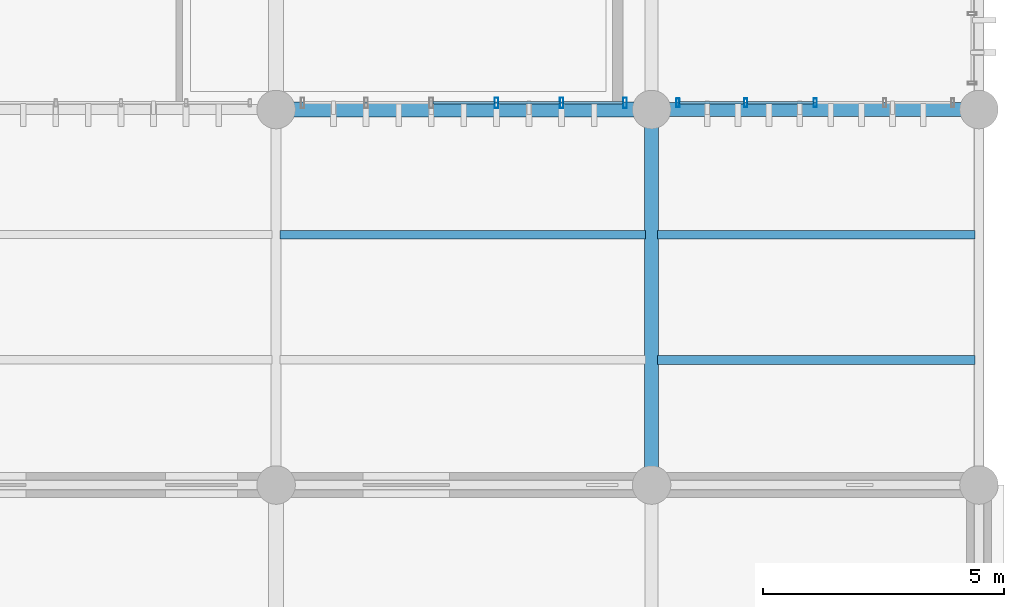
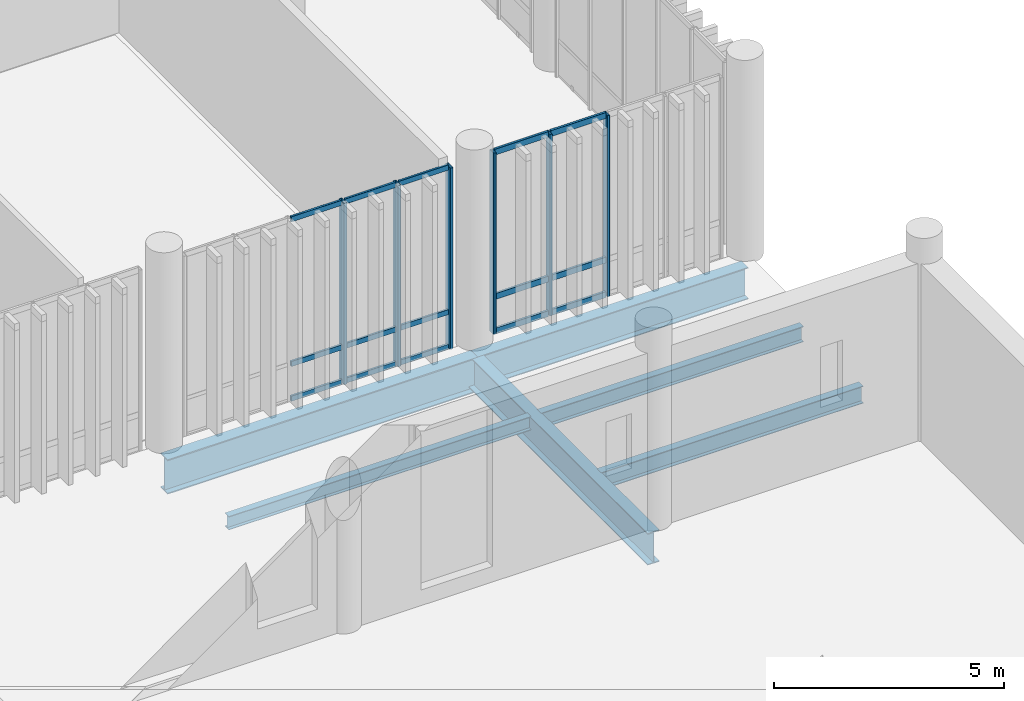
# One storey, part 75 of 128: 21 members, 6 beams, 2 elements without a shape of their own.
"""IFC4 building model written with IfcOpenShell, lengths in metres."""

import ifcopenshell
import ifcopenshell.guid

model = None  # the IFC model being written
_history = None  # IfcOwnerHistory: only IFC2X3 demands one
_inside = {}  # id of a spatial element -> (the spatial element, [elements in it])
_under = {}  # id of a project, library or spatial element -> (it, [spatial elements below it])
_declared = {}  # id of a project -> (the project, [libraries it declares])
_typed = {}  # id of a type object -> (the type object, [elements of that type])
_made_of = {}  # id of a material, layer set ... -> (it, [elements and type objects made of it])


def new_model(schema):
    """Start an empty IFC model of exactly this schema.

    Asked for "IFC4X3", IfcOpenShell would pick the latest addendum, in which some entities
    have other attributes; the version numbers below select the first issue.
    IFC2X3 requires an IfcOwnerHistory on every rooted entity: one is made here for all.
    """
    global model, _history
    if schema == "IFC4X3":
        model = ifcopenshell.file(schema_version=(4, 3, 0, 0))
    else:
        model = ifcopenshell.file(schema=schema)
    _inside.clear()
    _under.clear()
    _declared.clear()
    _typed.clear()
    _made_of.clear()
    _history = None
    if model.schema == "IFC2X3":
        org = make("IfcOrganization", Name="unknown")
        user = make(
            "IfcPersonAndOrganization",
            ThePerson=make("IfcPerson", FamilyName="unknown"),
            TheOrganization=org,
        )
        app = make(
            "IfcApplication",
            ApplicationDeveloper=org,
            Version="unknown",
            ApplicationFullName="unknown",
            ApplicationIdentifier="unknown",
        )
        _history = make(
            "IfcOwnerHistory",
            OwningUser=user,
            OwningApplication=app,
            ChangeAction="ADDED",
            CreationDate=0,
        )
    return model


def make(cls, **values):
    """One entity of the class cls with the attributes given. An attribute that is None is left unset."""
    return model.create_entity(
        cls, **{name: value for name, value in values.items() if value is not None}
    )


def rooted(cls, **values):
    """An entity with a GlobalId (a new one), such as an element, a storey or a relation."""
    return make(cls, GlobalId=ifcopenshell.guid.new(), OwnerHistory=_history, **values)


def si_unit(unit_type, name, prefix=None):
    """IfcSIUnit, for example si_unit("LENGTHUNIT", "METRE", prefix="MILLI")."""
    return make("IfcSIUnit", UnitType=unit_type, Prefix=prefix, Name=name)


def assignment(units):
    """IfcUnitAssignment: the units of a project."""
    return None if units is None else make("IfcUnitAssignment", Units=units)


def point(xyz):
    """IfcCartesianPoint."""
    return None if xyz is None else make("IfcCartesianPoint", Coordinates=xyz)


def direction(xyz):
    """IfcDirection."""
    return None if xyz is None else make("IfcDirection", DirectionRatios=xyz)


def frame(location, z_axis=None, x_axis=None):
    """IfcAxis2Placement3D, a coordinate frame: its origin and axes. An axis left out is left unset."""
    return make(
        "IfcAxis2Placement3D",
        Location=point(location),
        Axis=direction(z_axis),
        RefDirection=direction(x_axis),
    )


def frame_2d(location, x_axis=None):
    """IfcAxis2Placement2D, a coordinate frame in the plane: its origin and x axis."""
    return make(
        "IfcAxis2Placement2D", Location=point(location), RefDirection=direction(x_axis)
    )


def origin_with_axes():
    """The frame at (0, 0, 0) with the z axis (0, 0, 1) and the x axis (1, 0, 0) written out."""
    return frame((0.0, 0.0, 0.0), z_axis=(0.0, 0.0, 1.0), x_axis=(1.0, 0.0, 0.0))


def origin_2d_with_axis():
    """The frame at (0, 0) in the plane with the x axis (1, 0) written out."""
    return frame_2d((0.0, 0.0), x_axis=(1.0, 0.0))


def place(relative_to, where):
    """IfcLocalPlacement: puts the frame where relative to a parent placement (None: the world)."""
    return make(
        "IfcLocalPlacement", PlacementRelTo=relative_to, RelativePlacement=where
    )


def context(
    kind, dimensions, precision=None, world=None, true_north=None, identifier=None
):
    """IfcGeometricRepresentationContext, for example the 3D "Model" context."""
    return make(
        "IfcGeometricRepresentationContext",
        ContextIdentifier=identifier,
        ContextType=kind,
        CoordinateSpaceDimension=dimensions,
        Precision=precision,
        WorldCoordinateSystem=world,
        TrueNorth=true_north,
    )


def subcontext(parent, identifier, kind, view, scale=None):
    """IfcGeometricRepresentationSubContext, for example "Body" below "Model"."""
    return make(
        "IfcGeometricRepresentationSubContext",
        ContextIdentifier=identifier,
        ContextType=kind,
        ParentContext=parent,
        TargetScale=scale,
        TargetView=view,
    )


def project(units=None, contexts=None):
    """IfcProject with its units and contexts."""
    return rooted(
        "IfcProject",
        Name="project",
        RepresentationContexts=contexts,
        UnitsInContext=assignment(units),
    )


def spatial(cls, under=None, at=None, **own):
    """A site, building, storey or space (cls), placed at a placement, below another one or the project."""
    s = rooted(cls, ObjectPlacement=at, **own)
    if under is not None:
        _under.setdefault(under.id(), (under, []))[1].append(s)
    return s


def profile(cls, at=None, kind="AREA", **sizes):
    """A parametric profile (cls). Its sizes go by their IFC names, for example OverallWidth=200.0."""
    return make(cls, ProfileType=kind, Position=at, **sizes)


def hollow_rectangle(**sizes):
    """IfcRectangleHollowProfileDef."""
    return profile("IfcRectangleHollowProfileDef", **sizes)


def i_section(**sizes):
    """IfcIShapeProfileDef."""
    return profile("IfcIShapeProfileDef", **sizes)


def extrude(swept, where, along, depth):
    """IfcExtrudedAreaSolid: the profile swept, set in the frame where, extruded along a direction by depth."""
    return make(
        "IfcExtrudedAreaSolid",
        SweptArea=swept,
        Position=where,
        ExtrudedDirection=direction(along),
        Depth=depth,
    )


def shape(context_of_items, identifier, shape_type, items):
    """IfcShapeRepresentation: the items that make up one representation, for example the "Body"."""
    return make(
        "IfcShapeRepresentation",
        ContextOfItems=context_of_items,
        RepresentationIdentifier=identifier,
        RepresentationType=shape_type,
        Items=items,
    )


def material(Name=None, Category=None):
    """IfcMaterial."""
    return make("IfcMaterial", Name=Name, Category=Category)


def material_profile(
    of_material, cross_section, Name=None, Category=None, Priority=None
):
    """IfcMaterialProfile: a cross section and its material."""
    return make(
        "IfcMaterialProfile",
        Name=Name,
        Material=of_material,
        Profile=cross_section,
        Priority=Priority,
        Category=Category,
    )


def profile_set(profiles, Name=None, composite=None):
    """IfcMaterialProfileSet."""
    return make(
        "IfcMaterialProfileSet",
        Name=Name,
        MaterialProfiles=profiles,
        CompositeProfile=composite,
    )


def made_of(thing, what):
    """Note that an element or type object is made of a material, layer set ...; save() writes the relation."""
    if what is not None:
        _made_of.setdefault(what.id(), (what, []))[1].append(thing)
    return thing


def type_object(cls, material=None, **own):
    """A type object (cls), such as IfcWallType, which elements share."""
    return made_of(rooted(cls, **own), material)


def element(
    cls,
    number,
    at=None,
    inside=None,
    cuts=None,
    type_object=None,
    material=None,
    context=None,
    identifier="Body",
    shape_type=None,
    held_by="IfcProductDefinitionShape",
    body=None,
    shapes=None,
    **own,
):
    """One element of the class cls, such as IfcWall. Its Tag is "e" and its number.

    at: its placement. inside: the storey or other place that contains it. cuts: it is an
    opening in that element (IfcRelVoidsElement). A single representation is given by context,
    identifier, shape_type and body (its items); several are given by shapes. held_by: the class
    of the entity that holds the representations. save() writes the other relations.
    """
    e = rooted(cls, Tag="e%d" % number, ObjectPlacement=at, **own)
    if body is not None:
        shapes = [shape(context, identifier, shape_type, body)]
    if shapes is not None:
        e.Representation = make(held_by, Representations=shapes)
    if inside is not None:
        _inside.setdefault(inside.id(), (inside, []))[1].append(e)
    if cuts is not None:
        rooted(
            "IfcRelVoidsElement", RelatingBuildingElement=cuts, RelatedOpeningElement=e
        )
    if type_object is not None:
        _typed.setdefault(type_object.id(), (type_object, []))[1].append(e)
    return made_of(e, material)


def aggregate(whole, parts):
    """IfcRelAggregates: a whole, such as a stair, and the parts it consists of."""
    return rooted("IfcRelAggregates", RelatingObject=whole, RelatedObjects=parts)


def save(model, path):
    """Write the relations noted so far, then the file.

    IfcRelAggregates (storeys below a building ...), IfcRelContainedInSpatialStructure (elements
    in a storey), IfcRelDefinesByType, IfcRelAssociatesMaterial and IfcRelDeclares: one each for
    every whole, place, type object, material and project.
    """
    for whole, parts in _under.values():
        aggregate(whole, parts)
    for where, things in _inside.values():
        rooted(
            "IfcRelContainedInSpatialStructure",
            RelatedElements=things,
            RelatingStructure=where,
        )
    for kind, things in _typed.values():
        rooted("IfcRelDefinesByType", RelatedObjects=things, RelatingType=kind)
    for what, things in _made_of.values():
        rooted("IfcRelAssociatesMaterial", RelatedObjects=things, RelatingMaterial=what)
    for by, libraries in _declared.values():
        rooted("IfcRelDeclares", RelatingContext=by, RelatedDefinitions=libraries)
    model.write(path)


model = new_model("IFC4")

# Units and contexts
model_context = context("Model", 3, precision=1e-05, world=origin_with_axes(), true_north=direction((0.0, 1.0)))
body_context = subcontext(model_context, "Body", "Model", "MODEL_VIEW")
ifc_project = project(units=[si_unit("LENGTHUNIT", "METRE"), si_unit("AREAUNIT", "SQUARE_METRE"), si_unit("VOLUMEUNIT", "CUBIC_METRE"), si_unit("PLANEANGLEUNIT", "RADIAN"), si_unit("MASSUNIT", "GRAM", prefix="KILO"), si_unit("THERMODYNAMICTEMPERATUREUNIT", "KELVIN")], contexts=[model_context])

# Site, building, storey
site_placement = place(None, origin_with_axes())
site = spatial("IfcSite", under=ifc_project, at=site_placement, CompositionType="ELEMENT")
building_placement = place(site_placement, origin_with_axes())
building = spatial("IfcBuilding", under=site, at=building_placement, Name="Montbau Bow Law Courts", CompositionType="ELEMENT")
storey_placement = place(building_placement, frame((0.0, 0.0, 5.4), z_axis=(0.0, 0.0, 1.0), x_axis=(1.0, 0.0, 0.0)))
storey = spatial("IfcBuildingStorey", under=building, at=storey_placement, Name="L01", CompositionType="ELEMENT", Elevation=5.4)

# Beams
ifc_material_1 = material(Name="Steel CSA G40.21 Grade 350W (350 MPa)", Category="steel")
ifc_material_profile_1 = material_profile(ifc_material_1, i_section(OverallWidth=0.306, OverallDepth=0.919, WebThickness=0.0173, FlangeThickness=0.0279, at=origin_2d_with_axis()), Name="W920X253", Category="Main", Priority=0)
ifc_profile_set_1 = profile_set([ifc_material_profile_1], Name="Steel CSA G40.21 Grade 350W (350 MPa)")
beam_type_1 = type_object("IfcBeamType", Name="B-FLR-01", PredefinedType="BEAM", material=ifc_profile_set_1)
beam_1_placement = place(None, frame((154.8, 69.6, 4.651), z_axis=(1.0, 0.0, 0.0), x_axis=(0.0, 1.0, 0.0)))
element("IfcBeam", 1, at=beam_1_placement, inside=storey, type_object=beam_type_1, Name="BM-L01-S1104:bm2_1107", PredefinedType="BEAM", context=body_context, shape_type="SweptSolid", body=[
    extrude(i_section(OverallWidth=0.306, OverallDepth=0.919, WebThickness=0.0173, FlangeThickness=0.0279, at=origin_2d_with_axis()), origin_with_axes(), (0.0, 0.0, 1.0), 7.8),
])
ifc_material_profile_2 = material_profile(ifc_material_1, i_section(OverallWidth=0.293, OverallDepth=0.846, WebThickness=0.0154, FlangeThickness=0.0244, at=origin_2d_with_axis()), Name="W840X210", Category="Main", Priority=0)
ifc_profile_set_2 = profile_set([ifc_material_profile_2], Name="Steel CSA G40.21 Grade 350W (350 MPa)")
beam_type_2 = type_object("IfcBeamType", Name="B-FLR-02", PredefinedType="BEAM", material=ifc_profile_set_2)
beam_2_placement = place(None, frame((162.6, 69.6, 4.687), z_axis=(1.0, 0.0, 0.0), x_axis=(0.0, 1.0, 0.0)))
element("IfcBeam", 2, at=beam_2_placement, inside=storey, type_object=beam_type_2, Name="BM-L01-S1105:bm2_1108", PredefinedType="BEAM", context=body_context, shape_type="SweptSolid", body=[
    extrude(i_section(OverallWidth=0.293, OverallDepth=0.846, WebThickness=0.0154, FlangeThickness=0.0244, at=origin_2d_with_axis()), origin_with_axes(), (0.0, 0.0, 1.0), 6.8),
])
beam_3_placement = place(None, frame((162.6, 61.8, 4.687), z_axis=(0.0, 1.0, 0.0), x_axis=(-1.0, 0.0, 0.0)))
element("IfcBeam", 3, at=beam_3_placement, inside=storey, type_object=beam_type_2, Name="BM-L01-S1151:bm2_1154", PredefinedType="BEAM", context=body_context, shape_type="SweptSolid", body=[
    extrude(i_section(OverallWidth=0.293, OverallDepth=0.846, WebThickness=0.0154, FlangeThickness=0.0244, at=origin_2d_with_axis()), origin_with_axes(), (0.0, 0.0, 1.0), 7.8),
])
ifc_material_profile_3 = material_profile(ifc_material_1, i_section(OverallWidth=0.191, OverallDepth=0.46, WebThickness=0.0099, FlangeThickness=0.016, at=origin_2d_with_axis()), Name="W460X82", Category="Main", Priority=0)
ifc_profile_set_3 = profile_set([ifc_material_profile_3], Name="Steel CSA G40.21 Grade 350W (350 MPa)")
beam_type_3 = type_object("IfcBeamType", Name="B-JST-01", PredefinedType="JOIST", material=ifc_profile_set_3)
beam_4_placement = place(None, frame((162.722, 64.4, 4.88), z_axis=(1.0, 0.0, 0.0), x_axis=(0.0, 1.0, 0.0)))
element("IfcBeam", 4, at=beam_4_placement, inside=storey, type_object=beam_type_3, Name="JST-L01-S0596:jst2_0596", PredefinedType="JOIST", context=body_context, shape_type="SweptSolid", body=[
    extrude(i_section(OverallWidth=0.191, OverallDepth=0.46, WebThickness=0.0099, FlangeThickness=0.016, at=origin_2d_with_axis()), origin_with_axes(), (0.0, 0.0, 1.0), 6.598),
])
ifc_material_profile_4 = material_profile(ifc_material_1, i_section(OverallWidth=0.179, OverallDepth=0.41, WebThickness=0.0088, FlangeThickness=0.0144, at=origin_2d_with_axis()), Name="W410X67", Category="Main", Priority=0)
ifc_profile_set_4 = profile_set([ifc_material_profile_4], Name="Steel CSA G40.21 Grade 350W (350 MPa)")
beam_type_4 = type_object("IfcBeamType", Name="B-JST-02", PredefinedType="JOIST", material=ifc_profile_set_4)
beam_5_placement = place(None, frame((162.722, 67.0, 4.905), z_axis=(1.0, 0.0, 0.0), x_axis=(0.0, 1.0, 0.0)))
element("IfcBeam", 5, at=beam_5_placement, inside=storey, type_object=beam_type_4, Name="JST-L01-S0597:jst2_0597", PredefinedType="JOIST", context=body_context, shape_type="SweptSolid", body=[
    extrude(i_section(OverallWidth=0.179, OverallDepth=0.41, WebThickness=0.0088, FlangeThickness=0.0144, at=origin_2d_with_axis()), origin_with_axes(), (0.0, 0.0, 1.0), 6.598),
])
ifc_material_profile_5 = material_profile(ifc_material_1, i_section(OverallWidth=0.172, OverallDepth=0.358, WebThickness=0.0079, FlangeThickness=0.0131, at=origin_2d_with_axis()), Name="W360X57", Category="Main", Priority=0)
ifc_profile_set_5 = profile_set([ifc_material_profile_5], Name="Steel CSA G40.21 Grade 350W (350 MPa)")
beam_type_5 = type_object("IfcBeamType", Name="B-JST-03", PredefinedType="JOIST", material=ifc_profile_set_5)
beam_6_placement = place(None, frame((154.881, 67.0, 4.931), z_axis=(1.0, 0.0, 0.0), x_axis=(0.0, 1.0, 0.0)))
element("IfcBeam", 6, at=beam_6_placement, inside=storey, type_object=beam_type_5, Name="JST-L01-S0586:jst2_0586", PredefinedType="JOIST", context=body_context, shape_type="SweptSolid", body=[
    extrude(i_section(OverallWidth=0.172, OverallDepth=0.358, WebThickness=0.0079, FlangeThickness=0.0131, at=origin_2d_with_axis()), origin_with_axes(), (0.0, 0.0, 1.0), 7.596),
])

# Curtain wall, members
ifc_material_2 = material(Name="Thermally Broken Extruded Aluminium AA 6063-T6", Category="aluminium")
curtain_wall_type = type_object("IfcCurtainWallType", Name="CW-SLT-01", PredefinedType="NOTDEFINED", material=ifc_material_2)
curtain_wall_1_placement = place(None, frame((155.315, 69.74, 5.4), z_axis=(0.0, 0.0, 1.0), x_axis=(1.0, 0.0, 0.0)))
curtain_wall_1 = element("IfcCurtainWall", 7, at=curtain_wall_1_placement, inside=storey, type_object=curtain_wall_type, Name="CW-L01-279:cw_0279", PredefinedType="NOTDEFINED")
ifc_material_profile_6 = material_profile(ifc_material_2, hollow_rectangle(XDim=0.075, YDim=0.22, WallThickness=0.005, InnerFilletRadius=0.01, OuterFilletRadius=0.005, at=origin_2d_with_axis()), Name="CWM-220X75", Category="Main", Priority=0)
ifc_profile_set_6 = profile_set([ifc_material_profile_6], Name="Thermally Broken Extruded Aluminium AA 6063-T6")
member_type_1 = type_object("IfcMemberType", Name="M-MUL-01", PredefinedType="MULLION", material=ifc_profile_set_6)
member_1_placement = place(None, frame((159.377, 69.74, 5.4), z_axis=(0.0, 0.0, 1.0), x_axis=(1.0, 0.0, 0.0)))
member_1 = element("IfcMember", 8, at=member_1_placement, type_object=member_type_1, Name="CW-L01-279-M04:cw_0279_M04", PredefinedType="MULLION", context=body_context, shape_type="SweptSolid", body=[
    extrude(hollow_rectangle(XDim=0.075, YDim=0.22, WallThickness=0.005, InnerFilletRadius=0.01, OuterFilletRadius=0.005, at=origin_2d_with_axis()), origin_with_axes(), (0.0, 0.0, 1.0), 4.82),
])
member_2_placement = place(None, frame((160.731, 69.74, 5.4), z_axis=(0.0, 0.0, 1.0), x_axis=(1.0, 0.0, 0.0)))
member_2 = element("IfcMember", 9, at=member_2_placement, type_object=member_type_1, Name="CW-L01-279-M05:cw_0279_M05", PredefinedType="MULLION", context=body_context, shape_type="SweptSolid", body=[
    extrude(hollow_rectangle(XDim=0.075, YDim=0.22, WallThickness=0.005, InnerFilletRadius=0.01, OuterFilletRadius=0.005, at=origin_2d_with_axis()), origin_with_axes(), (0.0, 0.0, 1.0), 4.82),
])
member_3_placement = place(None, frame((162.048, 69.74, 5.4), z_axis=(0.0, 0.0, 1.0), x_axis=(1.0, 0.0, 0.0)))
member_3 = element("IfcMember", 10, at=member_3_placement, type_object=member_type_1, Name="CW-L01-279-M06:cw_0279_M06", PredefinedType="MULLION", context=body_context, shape_type="SweptSolid", body=[
    extrude(hollow_rectangle(XDim=0.075, YDim=0.22, WallThickness=0.005, InnerFilletRadius=0.01, OuterFilletRadius=0.005, at=origin_2d_with_axis()), origin_with_axes(), (0.0, 0.0, 1.0), 4.82),
])

curtain_wall_2_placement = place(None, frame((163.115, 69.74, 5.4), z_axis=(0.0, 0.0, 1.0), x_axis=(1.0, 0.0, 0.0)))
curtain_wall_2 = element("IfcCurtainWall", 11, at=curtain_wall_2_placement, inside=storey, type_object=curtain_wall_type, Name="CW-L01-280:cw_0280", PredefinedType="NOTDEFINED")
ifc_material_profile_7 = material_profile(ifc_material_2, hollow_rectangle(XDim=0.065, YDim=0.18, WallThickness=0.005, InnerFilletRadius=0.01, OuterFilletRadius=0.005, at=origin_2d_with_axis()), Name="CWM-180X65", Category="Main", Priority=0)
ifc_profile_set_7 = profile_set([ifc_material_profile_7], Name="Thermally Broken Extruded Aluminium AA 6063-T6")
member_type_2 = type_object("IfcMemberType", Name="M-MUL-02", PredefinedType="MULLION", material=ifc_profile_set_7)
member_4_placement = place(None, frame((163.148, 69.74, 5.4), z_axis=(0.0, 0.0, 1.0), x_axis=(1.0, 0.0, 0.0)))
member_4 = element("IfcMember", 12, at=member_4_placement, type_object=member_type_2, Name="CW-L01-280-M01:cw_0280_M01", PredefinedType="MULLION", context=body_context, shape_type="SweptSolid", body=[
    extrude(hollow_rectangle(XDim=0.065, YDim=0.18, WallThickness=0.005, InnerFilletRadius=0.01, OuterFilletRadius=0.005, at=origin_2d_with_axis()), origin_with_axes(), (0.0, 0.0, 1.0), 4.82),
])
member_5_placement = place(None, frame((164.557, 69.74, 5.4), z_axis=(0.0, 0.0, 1.0), x_axis=(1.0, 0.0, 0.0)))
member_5 = element("IfcMember", 13, at=member_5_placement, type_object=member_type_2, Name="CW-L01-280-M02:cw_0280_M02", PredefinedType="MULLION", context=body_context, shape_type="SweptSolid", body=[
    extrude(hollow_rectangle(XDim=0.065, YDim=0.18, WallThickness=0.005, InnerFilletRadius=0.01, OuterFilletRadius=0.005, at=origin_2d_with_axis()), origin_with_axes(), (0.0, 0.0, 1.0), 4.82),
])
member_6_placement = place(None, frame((166.0, 69.74, 5.4), z_axis=(0.0, 0.0, 1.0), x_axis=(1.0, 0.0, 0.0)))
member_6 = element("IfcMember", 14, at=member_6_placement, type_object=member_type_2, Name="CW-L01-280-M03:cw_0280_M03", PredefinedType="MULLION", context=body_context, shape_type="SweptSolid", body=[
    extrude(hollow_rectangle(XDim=0.065, YDim=0.18, WallThickness=0.005, InnerFilletRadius=0.01, OuterFilletRadius=0.005, at=origin_2d_with_axis()), origin_with_axes(), (0.0, 0.0, 1.0), 4.82),
])
ifc_material_profile_8 = material_profile(ifc_material_2, hollow_rectangle(XDim=0.06, YDim=0.16, WallThickness=0.004, InnerFilletRadius=0.008, OuterFilletRadius=0.004, at=origin_2d_with_axis()), Name="CWT-160X60", Category="Main", Priority=0)
ifc_profile_set_8 = profile_set([ifc_material_profile_8], Name="Thermally Broken Extruded Aluminium AA 6063-T6")
member_type_3 = type_object("IfcMemberType", Name="M-TRN-01", PredefinedType="USERDEFINED", material=ifc_profile_set_8)
member_7_placement = place(None, frame((163.183, 69.74, 5.43), z_axis=(1.0, 0.0, 0.0), x_axis=(0.0, 1.0, 0.0)))
member_7 = element("IfcMember", 15, at=member_7_placement, type_object=member_type_3, Name="CW-L01-280-T01-1:cw_0280_T01_1", ObjectType="TRANSOM", PredefinedType="USERDEFINED", context=body_context, shape_type="SweptSolid", body=[
    extrude(hollow_rectangle(XDim=0.06, YDim=0.16, WallThickness=0.004, InnerFilletRadius=0.008, OuterFilletRadius=0.004, at=origin_2d_with_axis()), origin_with_axes(), (0.0, 0.0, 1.0), 1.339),
])
member_8_placement = place(None, frame((163.183, 69.74, 6.35), z_axis=(1.0, 0.0, 0.0), x_axis=(0.0, 1.0, 0.0)))
member_8 = element("IfcMember", 16, at=member_8_placement, type_object=member_type_3, Name="CW-L01-280-T01-2:cw_0280_T01_2", ObjectType="TRANSOM", PredefinedType="USERDEFINED", context=body_context, shape_type="SweptSolid", body=[
    extrude(hollow_rectangle(XDim=0.06, YDim=0.16, WallThickness=0.004, InnerFilletRadius=0.008, OuterFilletRadius=0.004, at=origin_2d_with_axis()), origin_with_axes(), (0.0, 0.0, 1.0), 1.339),
])
member_9_placement = place(None, frame((163.183, 69.74, 10.19), z_axis=(1.0, 0.0, 0.0), x_axis=(0.0, 1.0, 0.0)))
member_9 = element("IfcMember", 17, at=member_9_placement, type_object=member_type_3, Name="CW-L01-280-T01-3:cw_0280_T01_3", ObjectType="TRANSOM", PredefinedType="USERDEFINED", context=body_context, shape_type="SweptSolid", body=[
    extrude(hollow_rectangle(XDim=0.06, YDim=0.16, WallThickness=0.004, InnerFilletRadius=0.008, OuterFilletRadius=0.004, at=origin_2d_with_axis()), origin_with_axes(), (0.0, 0.0, 1.0), 1.339),
])
member_10_placement = place(None, frame((164.591, 69.74, 5.43), z_axis=(1.0, 0.0, 0.0), x_axis=(0.0, 1.0, 0.0)))
member_10 = element("IfcMember", 18, at=member_10_placement, type_object=member_type_3, Name="CW-L01-280-T02-1:cw_0280_T02_1", ObjectType="TRANSOM", PredefinedType="USERDEFINED", context=body_context, shape_type="SweptSolid", body=[
    extrude(hollow_rectangle(XDim=0.06, YDim=0.16, WallThickness=0.004, InnerFilletRadius=0.008, OuterFilletRadius=0.004, at=origin_2d_with_axis()), origin_with_axes(), (0.0, 0.0, 1.0), 1.374),
])
member_11_placement = place(None, frame((164.591, 69.74, 6.35), z_axis=(1.0, 0.0, 0.0), x_axis=(0.0, 1.0, 0.0)))
member_11 = element("IfcMember", 19, at=member_11_placement, type_object=member_type_3, Name="CW-L01-280-T02-2:cw_0280_T02_2", ObjectType="TRANSOM", PredefinedType="USERDEFINED", context=body_context, shape_type="SweptSolid", body=[
    extrude(hollow_rectangle(XDim=0.06, YDim=0.16, WallThickness=0.004, InnerFilletRadius=0.008, OuterFilletRadius=0.004, at=origin_2d_with_axis()), origin_with_axes(), (0.0, 0.0, 1.0), 1.374),
])
member_12_placement = place(None, frame((164.591, 69.74, 10.19), z_axis=(1.0, 0.0, 0.0), x_axis=(0.0, 1.0, 0.0)))
member_12 = element("IfcMember", 20, at=member_12_placement, type_object=member_type_3, Name="CW-L01-280-T02-3:cw_0280_T02_3", ObjectType="TRANSOM", PredefinedType="USERDEFINED", context=body_context, shape_type="SweptSolid", body=[
    extrude(hollow_rectangle(XDim=0.06, YDim=0.16, WallThickness=0.004, InnerFilletRadius=0.008, OuterFilletRadius=0.004, at=origin_2d_with_axis()), origin_with_axes(), (0.0, 0.0, 1.0), 1.374),
])
aggregate(curtain_wall_2, [member_4, member_5, member_6, member_7, member_8, member_9, member_10, member_11, member_12])

# Member
ifc_material_profile_9 = material_profile(ifc_material_2, hollow_rectangle(XDim=0.055, YDim=0.14, WallThickness=0.004, InnerFilletRadius=0.008, OuterFilletRadius=0.004, at=origin_2d_with_axis()), Name="CWT-140X55", Category="Main", Priority=0)
ifc_profile_set_9 = profile_set([ifc_material_profile_9], Name="Thermally Broken Extruded Aluminium AA 6063-T6")
member_type_4 = type_object("IfcMemberType", Name="M-TRN-02", PredefinedType="USERDEFINED", material=ifc_profile_set_9)
member_13_placement = place(None, frame((158.063, 69.74, 5.428), z_axis=(1.0, 0.0, 0.0), x_axis=(0.0, 1.0, 0.0)))
member_13 = element("IfcMember", 21, at=member_13_placement, type_object=member_type_4, Name="CW-L01-279-T03-1:cw_0279_T03_1", ObjectType="TRANSOM", PredefinedType="USERDEFINED", context=body_context, shape_type="SweptSolid", body=[
    extrude(hollow_rectangle(XDim=0.055, YDim=0.14, WallThickness=0.004, InnerFilletRadius=0.008, OuterFilletRadius=0.004, at=origin_2d_with_axis()), origin_with_axes(), (0.0, 0.0, 1.0), 1.275),
])

member_14_placement = place(None, frame((158.063, 69.74, 6.35), z_axis=(1.0, 0.0, 0.0), x_axis=(0.0, 1.0, 0.0)))
member_14 = element("IfcMember", 22, at=member_14_placement, type_object=member_type_4, Name="CW-L01-279-T03-2:cw_0279_T03_2", ObjectType="TRANSOM", PredefinedType="USERDEFINED", context=body_context, shape_type="SweptSolid", body=[
    extrude(hollow_rectangle(XDim=0.055, YDim=0.14, WallThickness=0.004, InnerFilletRadius=0.008, OuterFilletRadius=0.004, at=origin_2d_with_axis()), origin_with_axes(), (0.0, 0.0, 1.0), 1.275),
])

member_15_placement = place(None, frame((158.063, 69.74, 10.193), z_axis=(1.0, 0.0, 0.0), x_axis=(0.0, 1.0, 0.0)))
member_15 = element("IfcMember", 23, at=member_15_placement, type_object=member_type_4, Name="CW-L01-279-T03-3:cw_0279_T03_3", ObjectType="TRANSOM", PredefinedType="USERDEFINED", context=body_context, shape_type="SweptSolid", body=[
    extrude(hollow_rectangle(XDim=0.055, YDim=0.14, WallThickness=0.004, InnerFilletRadius=0.008, OuterFilletRadius=0.004, at=origin_2d_with_axis()), origin_with_axes(), (0.0, 0.0, 1.0), 1.275),
])

member_16_placement = place(None, frame((159.416, 69.74, 5.428), z_axis=(1.0, 0.0, 0.0), x_axis=(0.0, 1.0, 0.0)))
member_16 = element("IfcMember", 24, at=member_16_placement, type_object=member_type_4, Name="CW-L01-279-T04-1:cw_0279_T04_1", ObjectType="TRANSOM", PredefinedType="USERDEFINED", context=body_context, shape_type="SweptSolid", body=[
    extrude(hollow_rectangle(XDim=0.055, YDim=0.14, WallThickness=0.004, InnerFilletRadius=0.008, OuterFilletRadius=0.004, at=origin_2d_with_axis()), origin_with_axes(), (0.0, 0.0, 1.0), 1.276),
])

member_17_placement = place(None, frame((159.416, 69.74, 6.35), z_axis=(1.0, 0.0, 0.0), x_axis=(0.0, 1.0, 0.0)))
member_17 = element("IfcMember", 25, at=member_17_placement, type_object=member_type_4, Name="CW-L01-279-T04-2:cw_0279_T04_2", ObjectType="TRANSOM", PredefinedType="USERDEFINED", context=body_context, shape_type="SweptSolid", body=[
    extrude(hollow_rectangle(XDim=0.055, YDim=0.14, WallThickness=0.004, InnerFilletRadius=0.008, OuterFilletRadius=0.004, at=origin_2d_with_axis()), origin_with_axes(), (0.0, 0.0, 1.0), 1.276),
])

member_18_placement = place(None, frame((159.416, 69.74, 10.193), z_axis=(1.0, 0.0, 0.0), x_axis=(0.0, 1.0, 0.0)))
member_18 = element("IfcMember", 26, at=member_18_placement, type_object=member_type_4, Name="CW-L01-279-T04-3:cw_0279_T04_3", ObjectType="TRANSOM", PredefinedType="USERDEFINED", context=body_context, shape_type="SweptSolid", body=[
    extrude(hollow_rectangle(XDim=0.055, YDim=0.14, WallThickness=0.004, InnerFilletRadius=0.008, OuterFilletRadius=0.004, at=origin_2d_with_axis()), origin_with_axes(), (0.0, 0.0, 1.0), 1.276),
])

member_19_placement = place(None, frame((160.77, 69.74, 5.428), z_axis=(1.0, 0.0, 0.0), x_axis=(0.0, 1.0, 0.0)))
member_19 = element("IfcMember", 27, at=member_19_placement, type_object=member_type_4, Name="CW-L01-279-T05-1:cw_0279_T05_1", ObjectType="TRANSOM", PredefinedType="USERDEFINED", context=body_context, shape_type="SweptSolid", body=[
    extrude(hollow_rectangle(XDim=0.055, YDim=0.14, WallThickness=0.004, InnerFilletRadius=0.008, OuterFilletRadius=0.004, at=origin_2d_with_axis()), origin_with_axes(), (0.0, 0.0, 1.0), 1.239),
])

member_20_placement = place(None, frame((160.77, 69.74, 6.35), z_axis=(1.0, 0.0, 0.0), x_axis=(0.0, 1.0, 0.0)))
member_20 = element("IfcMember", 28, at=member_20_placement, type_object=member_type_4, Name="CW-L01-279-T05-2:cw_0279_T05_2", ObjectType="TRANSOM", PredefinedType="USERDEFINED", context=body_context, shape_type="SweptSolid", body=[
    extrude(hollow_rectangle(XDim=0.055, YDim=0.14, WallThickness=0.004, InnerFilletRadius=0.008, OuterFilletRadius=0.004, at=origin_2d_with_axis()), origin_with_axes(), (0.0, 0.0, 1.0), 1.239),
])

member_21_placement = place(None, frame((160.77, 69.74, 10.193), z_axis=(1.0, 0.0, 0.0), x_axis=(0.0, 1.0, 0.0)))
member_21 = element("IfcMember", 29, at=member_21_placement, type_object=member_type_4, Name="CW-L01-279-T05-3:cw_0279_T05_3", ObjectType="TRANSOM", PredefinedType="USERDEFINED", context=body_context, shape_type="SweptSolid", body=[
    extrude(hollow_rectangle(XDim=0.055, YDim=0.14, WallThickness=0.004, InnerFilletRadius=0.008, OuterFilletRadius=0.004, at=origin_2d_with_axis()), origin_with_axes(), (0.0, 0.0, 1.0), 1.239),
])

aggregate(curtain_wall_1, [member_1, member_2, member_3, member_13, member_14, member_15, member_16, member_17, member_18, member_19, member_20, member_21])

save(model, "model.ifc")
